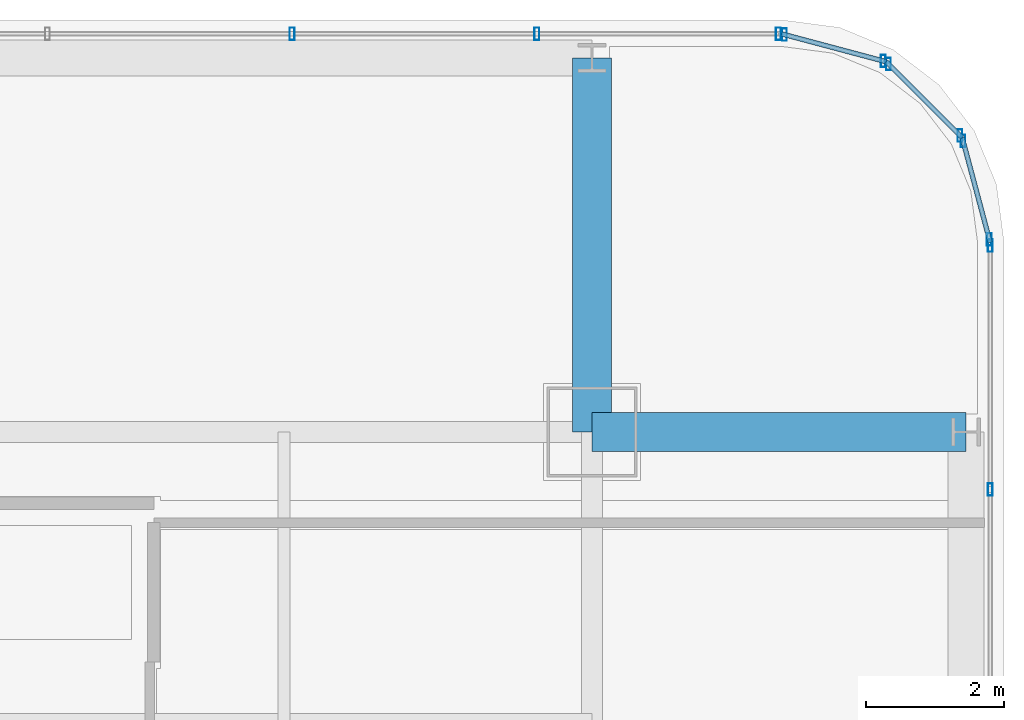
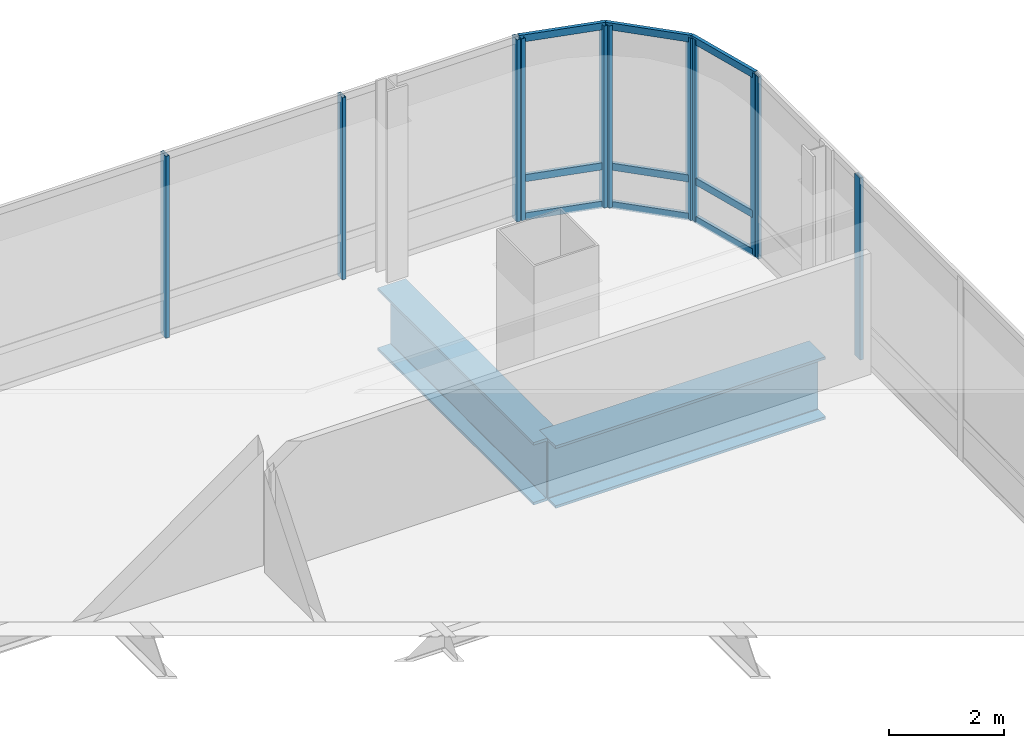
# One storey, part 30 of 42: 20 members, 2 beams, 5 elements without a shape of their own.
"""IFC4 building model written with IfcOpenShell, lengths in metres."""

from ifc_helpers import new_model, si_unit, direction, frame, origin, origin_2d, place, context, subcontext, project, spatial, hollow_rectangle, i_section, extrude, material, material_profile, profile_set, type_object, element, aggregate, save


model = new_model("IFC4")

# Units and contexts
model_context = context("Model", 3, precision=1e-05, world=origin(), true_north=direction((0.0, 1.0)))
body_context = subcontext(model_context, "Body", "Model", "MODEL_VIEW")
ifc_project = project(units=[si_unit("LENGTHUNIT", "METRE"), si_unit("AREAUNIT", "SQUARE_METRE"), si_unit("VOLUMEUNIT", "CUBIC_METRE"), si_unit("PLANEANGLEUNIT", "RADIAN"), si_unit("MASSUNIT", "GRAM", prefix="KILO")], contexts=[model_context])

# Site, building, storey
site_placement = place(None, origin())
site = spatial("IfcSite", under=ifc_project, at=site_placement, CompositionType="ELEMENT")
building_placement = place(site_placement, origin())
building = spatial("IfcBuilding", under=site, at=building_placement, Name="Punatoya Terracotta Tower", CompositionType="ELEMENT")
storey_placement = place(building_placement, frame((0.0, 0.0, 263.550048828125)))
storey = spatial("IfcBuildingStorey", under=building, at=storey_placement, Name="L62", CompositionType="ELEMENT", Elevation=263.550048828125)

# Beams
ifc_material_1 = material(Name="Steel S460", Category="steel")
ifc_material_profile_1 = material_profile(ifc_material_1, i_section(OverallWidth=0.56005859375, OverallDepth=1.320068359375, WebThickness=0.035888671875, FlangeThickness=0.054931640625, FilletRadius=0.01806640625, at=origin_2d()))
ifc_profile_set_1 = profile_set([ifc_material_profile_1], Name="Steel S460")
beam_type = type_object("IfcBeamType", Name="BM-TG-BLK", PredefinedType="BEAM", material=ifc_profile_set_1)
for number, where, z_axis, x_axis, name in (
    (1, (19.10009765625, 17.5, -0.860107421875), (1.0, 0.0, 0.0), (0.0, 1.0, 0.0), "BM-L62-CANT-E4"),
    (2, (19.10009765625, 17.5, -0.860107421875), (0.0, 1.0, 0.0), (-1.0, 0.0, 0.0), "BM-L62-CANT-N4"),
):
    element("IfcBeam", number, at=place(storey_placement, frame(where, z_axis=z_axis, x_axis=x_axis)), inside=storey, type_object=beam_type, Name=name, PredefinedType="BEAM", context=body_context, shape_type="SweptSolid", body=[
        extrude(i_section(OverallWidth=0.56005859375, OverallDepth=1.320068359375, WebThickness=0.035888671875, FlangeThickness=0.054931640625, FilletRadius=0.01806640625, at=origin_2d()), origin(), (0.0, 0.0, 1.0), 5.39990234375),
    ])

# Curtain wall, members
ifc_material_2 = material(Name="Aluminium 6063-T6 + Double Low-E Glass", Category="aluminium")
curtain_wall_type = type_object("IfcCurtainWallType", Name="CW-M3", PredefinedType="NOTDEFINED", material=ifc_material_2)
curtain_wall_1_placement = place(storey_placement, origin())
curtain_wall_1 = element("IfcCurtainWall", 3, at=curtain_wall_1_placement, inside=storey, type_object=curtain_wall_type, Name="L62 Curtain Wall CW-L62-E05-1", PredefinedType="NOTDEFINED")
ifc_material_3 = material(Name="Aluminium 6063-T6", Category="aluminium")
ifc_material_profile_2 = material_profile(ifc_material_3, hollow_rectangle(XDim=0.070068359375, YDim=0.179931640625, WallThickness=0.00390625, at=origin_2d()))
ifc_profile_set_2 = profile_set([ifc_material_profile_2], Name="Aluminium 6063-T6")
member_type_1 = type_object("IfcMemberType", Name="CW-MUL-M3", PredefinedType="MULLION", material=ifc_profile_set_2)
member_1_placement = place(storey_placement, frame((24.85009765625, 16.66943359375, 0.0), z_axis=(0.0, 0.0, 1.0), x_axis=(1.0, 0.0, 0.0)))
member_1 = element("IfcMember", 4, at=member_1_placement, type_object=member_type_1, Name="CW-L62-E05-1 Mullion 09", PredefinedType="MULLION", context=body_context, shape_type="SweptSolid", body=[
    extrude(hollow_rectangle(XDim=0.070068359375, YDim=0.179931640625, WallThickness=0.00390625, at=origin_2d()), origin(), (0.0, 0.0, 1.0), 3.849853515625),
])
member_2_placement = place(storey_placement, frame((24.85009765625, 20.19189453125, 0.0), z_axis=(0.0, 0.0, 1.0), x_axis=(1.0, 0.0, 0.0)))
member_2 = element("IfcMember", 5, at=member_2_placement, type_object=member_type_1, Name="CW-L62-E05-1 Mullion 10", PredefinedType="MULLION", context=body_context, shape_type="SweptSolid", body=[
    extrude(hollow_rectangle(XDim=0.070068359375, YDim=0.179931640625, WallThickness=0.00390625, at=origin_2d()), origin(), (0.0, 0.0, 1.0), 3.849853515625),
])
aggregate(curtain_wall_1, [member_1, member_2])

curtain_wall_2_placement = place(storey_placement, origin())
curtain_wall_2 = element("IfcCurtainWall", 6, at=curtain_wall_2_placement, inside=storey, type_object=curtain_wall_type, Name="L62 Curtain Wall CW-L62-CRN06", PredefinedType="NOTDEFINED")
member_3_placement = place(storey_placement, frame((24.83837890625, 20.280517578125, 0.0), z_axis=(0.0, 0.0, 1.0), x_axis=(1.0, 0.0, 0.0)))
member_3 = element("IfcMember", 7, at=member_3_placement, type_object=member_type_1, Name="CW-L62-CRN06 Mullion 00", PredefinedType="MULLION", context=body_context, shape_type="SweptSolid", body=[
    extrude(hollow_rectangle(XDim=0.070068359375, YDim=0.179931640625, WallThickness=0.00390625, at=origin_2d()), origin(), (0.0, 0.0, 1.0), 3.849853515625),
])
member_4_placement = place(storey_placement, frame((24.458251953125, 21.70556640625, 0.0), z_axis=(0.0, 0.0, 1.0), x_axis=(1.0, 0.0, 0.0)))
member_4 = element("IfcMember", 8, at=member_4_placement, type_object=member_type_1, Name="CW-L62-CRN06 Mullion 01", PredefinedType="MULLION", context=body_context, shape_type="SweptSolid", body=[
    extrude(hollow_rectangle(XDim=0.070068359375, YDim=0.179931640625, WallThickness=0.00390625, at=origin_2d()), origin(), (0.0, 0.0, 1.0), 3.849853515625),
])

curtain_wall_3_placement = place(storey_placement, origin())
curtain_wall_3 = element("IfcCurtainWall", 9, at=curtain_wall_3_placement, inside=storey, type_object=curtain_wall_type, Name="L62 Curtain Wall CW-L62-CRN07", PredefinedType="NOTDEFINED")
member_5_placement = place(storey_placement, frame((24.414794921875, 21.781005859375, 0.0), z_axis=(0.0, 0.0, 1.0), x_axis=(1.0, 0.0, 0.0)))
member_5 = element("IfcMember", 10, at=member_5_placement, type_object=member_type_1, Name="CW-L62-CRN07 Mullion 00", PredefinedType="MULLION", context=body_context, shape_type="SweptSolid", body=[
    extrude(hollow_rectangle(XDim=0.070068359375, YDim=0.179931640625, WallThickness=0.00390625, at=origin_2d()), origin(), (0.0, 0.0, 1.0), 3.849853515625),
])
member_6_placement = place(storey_placement, frame((23.380859375, 22.814697265625, 0.0), z_axis=(0.0, 0.0, 1.0), x_axis=(1.0, 0.0, 0.0)))
member_6 = element("IfcMember", 11, at=member_6_placement, type_object=member_type_1, Name="CW-L62-CRN07 Mullion 01", PredefinedType="MULLION", context=body_context, shape_type="SweptSolid", body=[
    extrude(hollow_rectangle(XDim=0.070068359375, YDim=0.179931640625, WallThickness=0.00390625, at=origin_2d()), origin(), (0.0, 0.0, 1.0), 3.849853515625),
])

curtain_wall_4_placement = place(storey_placement, origin())
curtain_wall_4 = element("IfcCurtainWall", 12, at=curtain_wall_4_placement, inside=storey, type_object=curtain_wall_type, Name="L62 Curtain Wall CW-L62-CRN08", PredefinedType="NOTDEFINED")
member_7_placement = place(storey_placement, frame((23.3056640625, 22.858154296875, 0.0), z_axis=(0.0, 0.0, 1.0), x_axis=(1.0, 0.0, 0.0)))
member_7 = element("IfcMember", 13, at=member_7_placement, type_object=member_type_1, Name="CW-L62-CRN08 Mullion 00", PredefinedType="MULLION", context=body_context, shape_type="SweptSolid", body=[
    extrude(hollow_rectangle(XDim=0.070068359375, YDim=0.179931640625, WallThickness=0.00390625, at=origin_2d()), origin(), (0.0, 0.0, 1.0), 3.849853515625),
])
member_8_placement = place(storey_placement, frame((21.88037109375, 23.23828125, 0.0), z_axis=(0.0, 0.0, 1.0), x_axis=(1.0, 0.0, 0.0)))
member_8 = element("IfcMember", 14, at=member_8_placement, type_object=member_type_1, Name="CW-L62-CRN08 Mullion 01", PredefinedType="MULLION", context=body_context, shape_type="SweptSolid", body=[
    extrude(hollow_rectangle(XDim=0.070068359375, YDim=0.179931640625, WallThickness=0.00390625, at=origin_2d()), origin(), (0.0, 0.0, 1.0), 3.849853515625),
])

curtain_wall_5_placement = place(storey_placement, origin())
curtain_wall_5 = element("IfcCurtainWall", 15, at=curtain_wall_5_placement, inside=storey, type_object=curtain_wall_type, Name="L62 Curtain Wall CW-L62-N09-1", PredefinedType="NOTDEFINED")
member_9_placement = place(storey_placement, frame((21.7919921875, 23.25, 0.0), z_axis=(0.0, 0.0, 1.0), x_axis=(1.0, 0.0, 0.0)))
member_9 = element("IfcMember", 16, at=member_9_placement, type_object=member_type_1, Name="CW-L62-N09-1 Mullion 00", PredefinedType="MULLION", context=body_context, shape_type="SweptSolid", body=[
    extrude(hollow_rectangle(XDim=0.070068359375, YDim=0.179931640625, WallThickness=0.00390625, at=origin_2d()), origin(), (0.0, 0.0, 1.0), 3.849853515625),
])
member_10_placement = place(storey_placement, frame((18.302978515625, 23.25, 0.0), z_axis=(0.0, 0.0, 1.0), x_axis=(1.0, 0.0, 0.0)))
member_10 = element("IfcMember", 17, at=member_10_placement, type_object=member_type_1, Name="CW-L62-N09-1 Mullion 01", PredefinedType="MULLION", context=body_context, shape_type="SweptSolid", body=[
    extrude(hollow_rectangle(XDim=0.070068359375, YDim=0.179931640625, WallThickness=0.00390625, at=origin_2d()), origin(), (0.0, 0.0, 1.0), 3.849853515625),
])
member_11_placement = place(storey_placement, frame((14.768798828125, 23.25, 0.0), z_axis=(0.0, 0.0, 1.0), x_axis=(1.0, 0.0, 0.0)))
member_11 = element("IfcMember", 18, at=member_11_placement, type_object=member_type_1, Name="CW-L62-N09-1 Mullion 02", PredefinedType="MULLION", context=body_context, shape_type="SweptSolid", body=[
    extrude(hollow_rectangle(XDim=0.070068359375, YDim=0.179931640625, WallThickness=0.00390625, at=origin_2d()), origin(), (0.0, 0.0, 1.0), 3.849853515625),
])
aggregate(curtain_wall_5, [member_9, member_10, member_11])

# Member
ifc_material_profile_3 = material_profile(ifc_material_3, hollow_rectangle(XDim=0.068115234375, YDim=0.14990234375, WallThickness=0.00390625, at=origin_2d()))
ifc_profile_set_3 = profile_set([ifc_material_profile_3], Name="Aluminium 6063-T6")
member_type_2 = type_object("IfcMemberType", Name="CW-TRN-TYP", PredefinedType="USERDEFINED", material=ifc_profile_set_3)
member_12_placement = place(storey_placement, frame((24.85009765625, 20.23681640625, 0.0400390625), z_axis=(-0.257847112249, 0.966185730957, 0.0), x_axis=(-0.966185730957, -0.257847112249, 0.0)))
member_12 = element("IfcMember", 19, at=member_12_placement, type_object=member_type_2, Name="CW-L62-CRN06 Transom 1", ObjectType="TRANSOM", PredefinedType="USERDEFINED", context=body_context, shape_type="SweptSolid", body=[
    extrude(hollow_rectangle(XDim=0.068115234375, YDim=0.14990234375, WallThickness=0.00390625, at=origin_2d()), origin(), (0.0, 0.0, 1.0), 1.565185546875),
])

member_13_placement = place(storey_placement, frame((24.85009765625, 20.23681640625, 0.849853515625), z_axis=(-0.257847112249, 0.966185730957, 0.0), x_axis=(-0.966185730957, -0.257847112249, 0.0)))
member_13 = element("IfcMember", 20, at=member_13_placement, type_object=member_type_2, Name="CW-L62-CRN06 Transom 2", ObjectType="TRANSOM", PredefinedType="USERDEFINED", context=body_context, shape_type="SweptSolid", body=[
    extrude(hollow_rectangle(XDim=0.068115234375, YDim=0.14990234375, WallThickness=0.00390625, at=origin_2d()), origin(), (0.0, 0.0, 1.0), 1.565185546875),
])

member_14_placement = place(storey_placement, frame((24.85009765625, 20.23681640625, 3.81005859375), z_axis=(-0.257847112249, 0.966185730957, 0.0), x_axis=(-0.966185730957, -0.257847112249, 0.0)))
member_14 = element("IfcMember", 21, at=member_14_placement, type_object=member_type_2, Name="CW-L62-CRN06 Transom 3", ObjectType="TRANSOM", PredefinedType="USERDEFINED", context=body_context, shape_type="SweptSolid", body=[
    extrude(hollow_rectangle(XDim=0.068115234375, YDim=0.14990234375, WallThickness=0.00390625, at=origin_2d()), origin(), (0.0, 0.0, 1.0), 1.565185546875),
])

aggregate(curtain_wall_2, [member_3, member_4, member_12, member_13, member_14])

member_15_placement = place(storey_placement, frame((24.446533203125, 21.7490234375, 0.0400390625), z_axis=(-0.707028130747, 0.707185422879, 0.0), x_axis=(-0.707185422879, -0.707028130747, 0.0)))
member_15 = element("IfcMember", 22, at=member_15_placement, type_object=member_type_2, Name="CW-L62-CRN07 Transom 1", ObjectType="TRANSOM", PredefinedType="USERDEFINED", context=body_context, shape_type="SweptSolid", body=[
    extrude(hollow_rectangle(XDim=0.068115234375, YDim=0.14990234375, WallThickness=0.00390625, at=origin_2d()), origin(), (0.0, 0.0, 1.0), 1.55224609375),
])

member_16_placement = place(storey_placement, frame((24.446533203125, 21.7490234375, 0.849853515625), z_axis=(-0.707028130747, 0.707185422879, 0.0), x_axis=(-0.707185422879, -0.707028130747, 0.0)))
member_16 = element("IfcMember", 23, at=member_16_placement, type_object=member_type_2, Name="CW-L62-CRN07 Transom 2", ObjectType="TRANSOM", PredefinedType="USERDEFINED", context=body_context, shape_type="SweptSolid", body=[
    extrude(hollow_rectangle(XDim=0.068115234375, YDim=0.14990234375, WallThickness=0.00390625, at=origin_2d()), origin(), (0.0, 0.0, 1.0), 1.55224609375),
])

member_17_placement = place(storey_placement, frame((24.446533203125, 21.7490234375, 3.81005859375), z_axis=(-0.707028130747, 0.707185422879, 0.0), x_axis=(-0.707185422879, -0.707028130747, 0.0)))
member_17 = element("IfcMember", 24, at=member_17_placement, type_object=member_type_2, Name="CW-L62-CRN07 Transom 3", ObjectType="TRANSOM", PredefinedType="USERDEFINED", context=body_context, shape_type="SweptSolid", body=[
    extrude(hollow_rectangle(XDim=0.068115234375, YDim=0.14990234375, WallThickness=0.00390625, at=origin_2d()), origin(), (0.0, 0.0, 1.0), 1.55224609375),
])

aggregate(curtain_wall_3, [member_5, member_6, member_15, member_16, member_17])

member_18_placement = place(storey_placement, frame((23.34912109375, 22.8466796875, 0.0400390625), z_axis=(-0.966224582397, 0.257701486942, 0.0), x_axis=(-0.257701486942, -0.966224582397, 0.0)))
member_18 = element("IfcMember", 25, at=member_18_placement, type_object=member_type_2, Name="CW-L62-CRN08 Transom 1", ObjectType="TRANSOM", PredefinedType="USERDEFINED", context=body_context, shape_type="SweptSolid", body=[
    extrude(hollow_rectangle(XDim=0.068115234375, YDim=0.14990234375, WallThickness=0.00390625, at=origin_2d()), origin(), (0.0, 0.0, 1.0), 1.565185546875),
])

member_19_placement = place(storey_placement, frame((23.34912109375, 22.8466796875, 0.849853515625), z_axis=(-0.966224582397, 0.257701486942, 0.0), x_axis=(-0.257701486942, -0.966224582397, 0.0)))
member_19 = element("IfcMember", 26, at=member_19_placement, type_object=member_type_2, Name="CW-L62-CRN08 Transom 2", ObjectType="TRANSOM", PredefinedType="USERDEFINED", context=body_context, shape_type="SweptSolid", body=[
    extrude(hollow_rectangle(XDim=0.068115234375, YDim=0.14990234375, WallThickness=0.00390625, at=origin_2d()), origin(), (0.0, 0.0, 1.0), 1.565185546875),
])

member_20_placement = place(storey_placement, frame((23.34912109375, 22.8466796875, 3.81005859375), z_axis=(-0.966224582397, 0.257701486942, 0.0), x_axis=(-0.257701486942, -0.966224582397, 0.0)))
member_20 = element("IfcMember", 27, at=member_20_placement, type_object=member_type_2, Name="CW-L62-CRN08 Transom 3", ObjectType="TRANSOM", PredefinedType="USERDEFINED", context=body_context, shape_type="SweptSolid", body=[
    extrude(hollow_rectangle(XDim=0.068115234375, YDim=0.14990234375, WallThickness=0.00390625, at=origin_2d()), origin(), (0.0, 0.0, 1.0), 1.565185546875),
])

aggregate(curtain_wall_4, [member_7, member_8, member_18, member_19, member_20])

save(model, "model.ifc")
